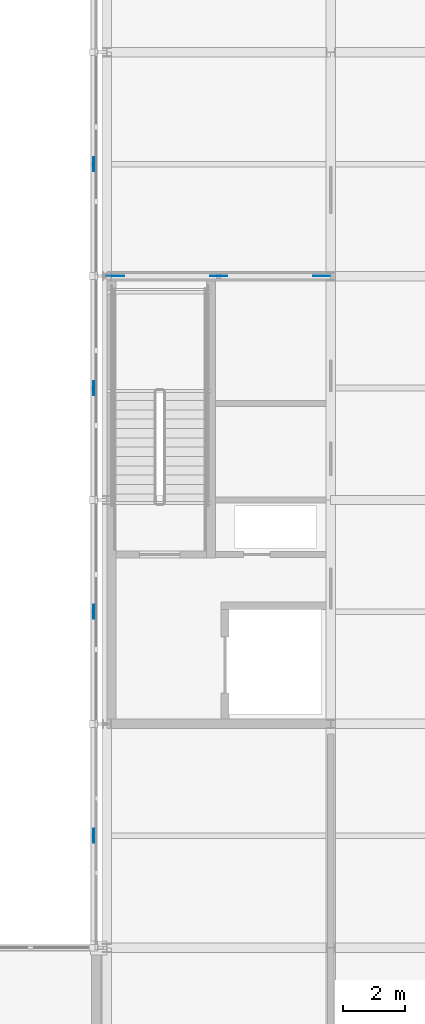
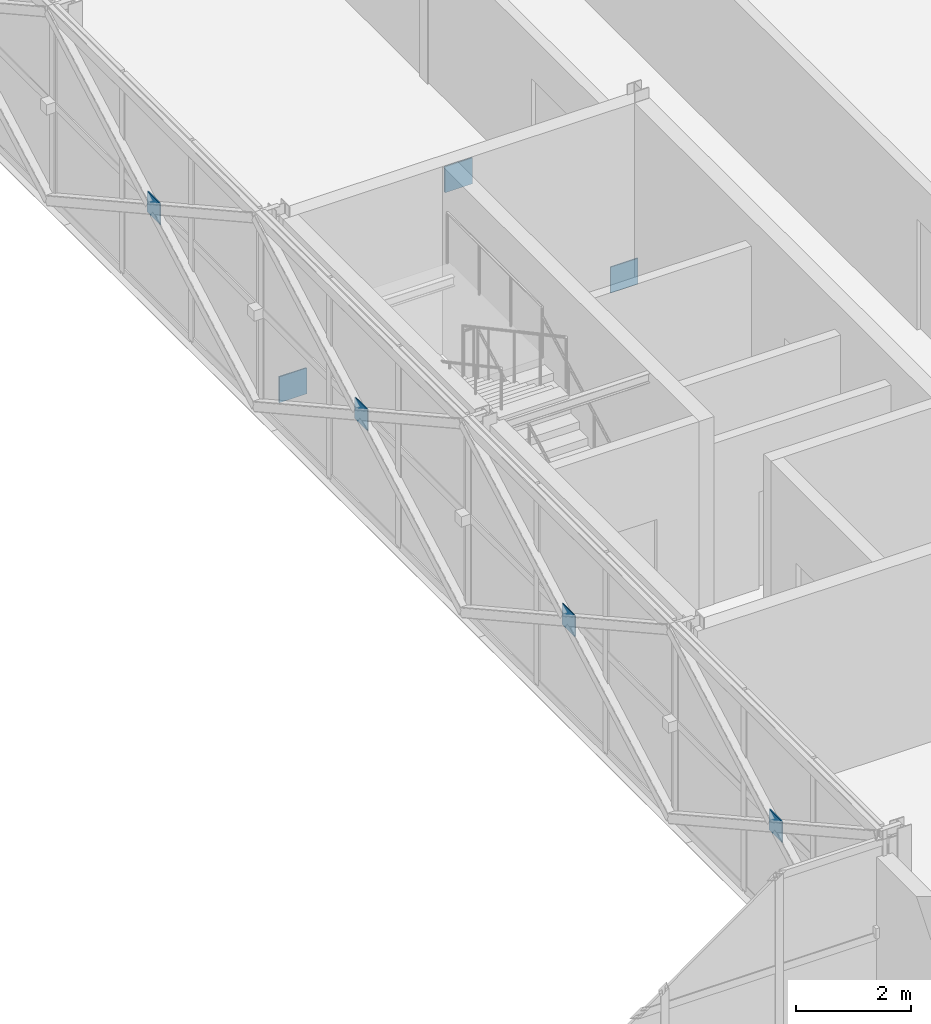
# One storey, part 113 of 146: 7 plates.
"""IFC4 building model written with IfcOpenShell, lengths in metres."""

from ifc_helpers import new_model, si_unit, direction, frame, origin, origin_2d, place, context, subcontext, project, spatial, rectangle, extrude, material, layer, layer_set, type_object, element, save


model = new_model("IFC4")

# Units and contexts
model_context = context("Model", 3, precision=1e-05, world=origin(), true_north=direction((0.0, 1.0)))
body_context = subcontext(model_context, "Body", "Model", "MODEL_VIEW")
ifc_project = project(units=[si_unit("LENGTHUNIT", "METRE"), si_unit("AREAUNIT", "SQUARE_METRE"), si_unit("VOLUMEUNIT", "CUBIC_METRE"), si_unit("PLANEANGLEUNIT", "RADIAN"), si_unit("MASSUNIT", "GRAM", prefix="KILO")], contexts=[model_context])

# Site, building, storey
site_placement = place(None, origin())
site = spatial("IfcSite", under=ifc_project, at=site_placement, CompositionType="ELEMENT")
building_placement = place(site_placement, origin())
building = spatial("IfcBuilding", under=site, at=building_placement, Name="Zlatovets Crest Museum", CompositionType="ELEMENT")
storey_placement = place(building_placement, frame((0.0, 0.0, 4.5)))
storey = spatial("IfcBuildingStorey", under=building, at=storey_placement, Name="L01", CompositionType="ELEMENT", Elevation=4.5)

# Plates
ifc_material = material(Name="Structural steel S355J2", Category="steel")
ifc_layer_1 = layer(ifc_material, 0.02490234375)
ifc_layer_set_1 = layer_set([ifc_layer_1], Name="Structural steel S355J2")
plate_type_1 = type_object("IfcPlateType", Name="Gusset_GP-01", PredefinedType="USERDEFINED", material=ifc_layer_set_1)
for number, where, z_axis, x_axis, name in (
    (1, (129.8798828125, 50.39990234375, 0.0048828125), (0.0, 0.0, 1.0), (1.0, 0.0, 0.0), "V5 L01 Brace End Gusset Plate GP-01"),
    (2, (136.52001953125, 50.39990234375, 0.0048828125), (0.0, 0.0, 1.0), (1.0, 0.0, 0.0), "V5 L01 Brace End Gusset Plate GP-01"),
    (3, (133.199951171875, 50.39990234375, 3.294921875), (0.0, 0.0, 1.0), (1.0, 0.0, 0.0), "V5 L01 Brace End Gusset Plate GP-01"),
):
    element("IfcPlate", number, at=place(storey_placement, frame(where, z_axis=z_axis, x_axis=x_axis)), inside=storey, type_object=plate_type_1, Name=name, ObjectType="GUSSET", PredefinedType="USERDEFINED", context=body_context, shape_type="SweptSolid", body=[
        extrude(rectangle(XDim=0.550048828125, YDim=0.02490234375, at=origin_2d()), origin(), (0.0, 0.0, 1.0), 0.550048828125),
    ])
ifc_layer_2 = layer(ifc_material, 0.02001953125)
ifc_layer_set_2 = layer_set([ifc_layer_2], Name="Structural steel S355J2")
plate_type_2 = type_object("IfcPlateType", Name="Gusset_GP-04", PredefinedType="USERDEFINED", material=ifc_layer_set_2)
for number, where, z_axis, x_axis, name in (
    (4, (129.179931640625, 54.0, 1.875), (0.0, 0.0, 1.0), (1.0, 0.0, 0.0), "X-Brace Crossing Node Gusset Plate GP-04"),
    (5, (129.179931640625, 46.800048828125, 1.875), (0.0, 0.0, 1.0), (1.0, 0.0, 0.0), "X-Brace Crossing Node Gusset Plate GP-04"),
    (6, (129.179931640625, 39.60009765625, 1.875), (0.0, 0.0, 1.0), (1.0, 0.0, 0.0), "X-Brace Crossing Node Gusset Plate GP-04"),
    (7, (129.179931640625, 32.39990234375, 1.875), (0.0, 0.0, 1.0), (1.0, 0.0, 0.0), "X-Brace Crossing Node Gusset Plate GP-04"),
):
    element("IfcPlate", number, at=place(storey_placement, frame(where, z_axis=z_axis, x_axis=x_axis)), inside=storey, type_object=plate_type_2, Name=name, ObjectType="GUSSET", PredefinedType="USERDEFINED", context=body_context, shape_type="SweptSolid", body=[
        extrude(rectangle(XDim=0.02001953125, YDim=0.449951171875, at=origin_2d()), origin(), (0.0, 0.0, 1.0), 0.449951171875),
    ])

save(model, "model.ifc")
